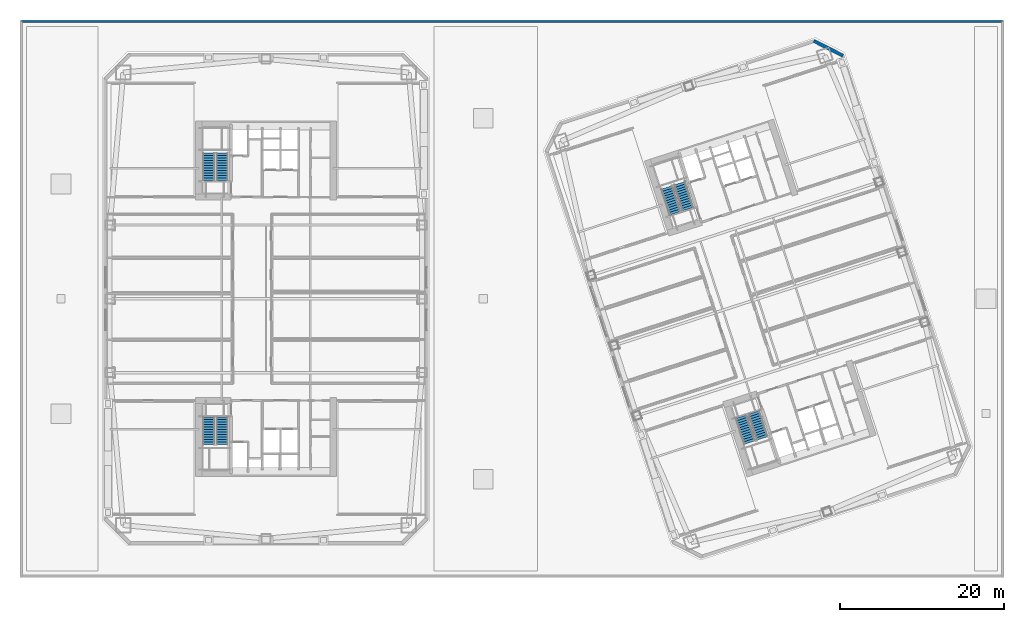
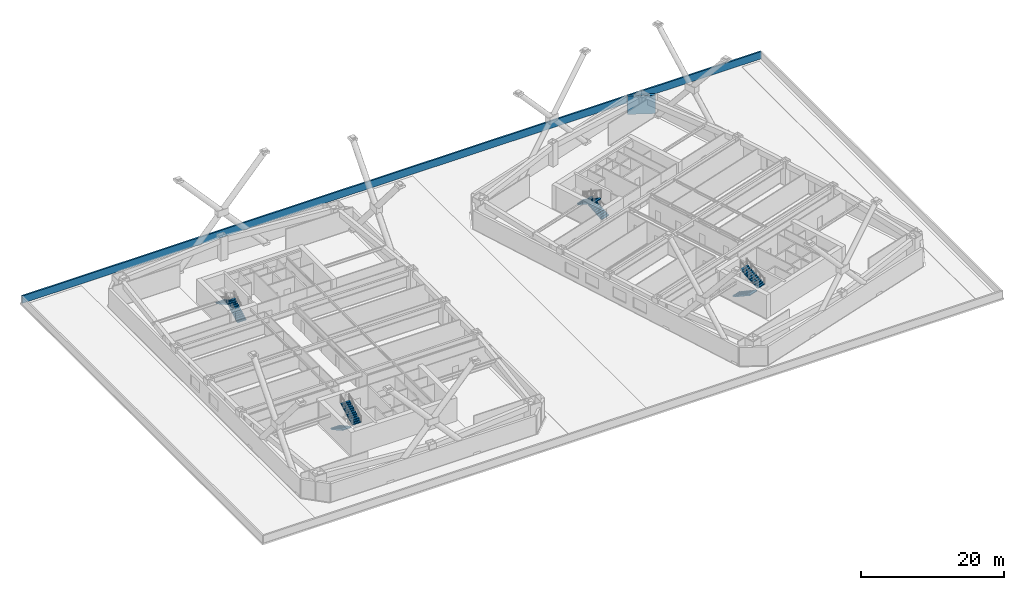
# One storey, part 13 of 20: 8 stair flights, 2 walls, 4 elements without a shape of their own.
"""IFC4 building model written with IfcOpenShell, lengths in metres."""

import ifcopenshell
import ifcopenshell.guid

model = None  # the IFC model being written
_history = None  # IfcOwnerHistory: only IFC2X3 demands one
_inside = {}  # id of a spatial element -> (the spatial element, [elements in it])
_under = {}  # id of a project, library or spatial element -> (it, [spatial elements below it])
_declared = {}  # id of a project -> (the project, [libraries it declares])
_typed = {}  # id of a type object -> (the type object, [elements of that type])
_made_of = {}  # id of a material, layer set ... -> (it, [elements and type objects made of it])


def new_model(schema):
    """Start an empty IFC model of exactly this schema.

    Asked for "IFC4X3", IfcOpenShell would pick the latest addendum, in which some entities
    have other attributes; the version numbers below select the first issue.
    IFC2X3 requires an IfcOwnerHistory on every rooted entity: one is made here for all.
    """
    global model, _history
    if schema == "IFC4X3":
        model = ifcopenshell.file(schema_version=(4, 3, 0, 0))
    else:
        model = ifcopenshell.file(schema=schema)
    _inside.clear()
    _under.clear()
    _declared.clear()
    _typed.clear()
    _made_of.clear()
    _history = None
    if model.schema == "IFC2X3":
        org = make("IfcOrganization", Name="unknown")
        user = make(
            "IfcPersonAndOrganization",
            ThePerson=make("IfcPerson", FamilyName="unknown"),
            TheOrganization=org,
        )
        app = make(
            "IfcApplication",
            ApplicationDeveloper=org,
            Version="unknown",
            ApplicationFullName="unknown",
            ApplicationIdentifier="unknown",
        )
        _history = make(
            "IfcOwnerHistory",
            OwningUser=user,
            OwningApplication=app,
            ChangeAction="ADDED",
            CreationDate=0,
        )
    return model


def make(cls, **values):
    """One entity of the class cls with the attributes given. An attribute that is None is left unset."""
    return model.create_entity(
        cls, **{name: value for name, value in values.items() if value is not None}
    )


def rooted(cls, **values):
    """An entity with a GlobalId (a new one), such as an element, a storey or a relation."""
    return make(cls, GlobalId=ifcopenshell.guid.new(), OwnerHistory=_history, **values)


def si_unit(unit_type, name, prefix=None):
    """IfcSIUnit, for example si_unit("LENGTHUNIT", "METRE", prefix="MILLI")."""
    return make("IfcSIUnit", UnitType=unit_type, Prefix=prefix, Name=name)


def assignment(units):
    """IfcUnitAssignment: the units of a project."""
    return None if units is None else make("IfcUnitAssignment", Units=units)


def point(xyz):
    """IfcCartesianPoint."""
    return None if xyz is None else make("IfcCartesianPoint", Coordinates=xyz)


def direction(xyz):
    """IfcDirection."""
    return None if xyz is None else make("IfcDirection", DirectionRatios=xyz)


def frame(location, z_axis=None, x_axis=None):
    """IfcAxis2Placement3D, a coordinate frame: its origin and axes. An axis left out is left unset."""
    return make(
        "IfcAxis2Placement3D",
        Location=point(location),
        Axis=direction(z_axis),
        RefDirection=direction(x_axis),
    )


def frame_2d(location, x_axis=None):
    """IfcAxis2Placement2D, a coordinate frame in the plane: its origin and x axis."""
    return make(
        "IfcAxis2Placement2D", Location=point(location), RefDirection=direction(x_axis)
    )


def origin():
    """The frame at (0, 0, 0) with its axes left unset."""
    return frame((0.0, 0.0, 0.0))


def place(relative_to, where):
    """IfcLocalPlacement: puts the frame where relative to a parent placement (None: the world)."""
    return make(
        "IfcLocalPlacement", PlacementRelTo=relative_to, RelativePlacement=where
    )


def context(
    kind, dimensions, precision=None, world=None, true_north=None, identifier=None
):
    """IfcGeometricRepresentationContext, for example the 3D "Model" context."""
    return make(
        "IfcGeometricRepresentationContext",
        ContextIdentifier=identifier,
        ContextType=kind,
        CoordinateSpaceDimension=dimensions,
        Precision=precision,
        WorldCoordinateSystem=world,
        TrueNorth=true_north,
    )


def subcontext(parent, identifier, kind, view, scale=None):
    """IfcGeometricRepresentationSubContext, for example "Body" below "Model"."""
    return make(
        "IfcGeometricRepresentationSubContext",
        ContextIdentifier=identifier,
        ContextType=kind,
        ParentContext=parent,
        TargetScale=scale,
        TargetView=view,
    )


def project(units=None, contexts=None):
    """IfcProject with its units and contexts."""
    return rooted(
        "IfcProject",
        Name="project",
        RepresentationContexts=contexts,
        UnitsInContext=assignment(units),
    )


def spatial(cls, under=None, at=None, **own):
    """A site, building, storey or space (cls), placed at a placement, below another one or the project."""
    s = rooted(cls, ObjectPlacement=at, **own)
    if under is not None:
        _under.setdefault(under.id(), (under, []))[1].append(s)
    return s


def polyline(points):
    """IfcPolyline through the points."""
    return make("IfcPolyline", Points=[point(p) for p in points])


def profile(cls, at=None, kind="AREA", **sizes):
    """A parametric profile (cls). Its sizes go by their IFC names, for example OverallWidth=200.0."""
    return make(cls, ProfileType=kind, Position=at, **sizes)


def rectangle(**sizes):
    """IfcRectangleProfileDef."""
    return profile("IfcRectangleProfileDef", **sizes)


def outline(outer, holes=None, kind="AREA"):
    """IfcArbitraryClosedProfileDef: a profile drawn as a closed curve; with holes, ...WithVoids."""
    if holes is None:
        return make("IfcArbitraryClosedProfileDef", ProfileType=kind, OuterCurve=outer)
    return make(
        "IfcArbitraryProfileDefWithVoids",
        ProfileType=kind,
        OuterCurve=outer,
        InnerCurves=holes,
    )


def extrude(swept, where, along, depth):
    """IfcExtrudedAreaSolid: the profile swept, set in the frame where, extruded along a direction by depth."""
    return make(
        "IfcExtrudedAreaSolid",
        SweptArea=swept,
        Position=where,
        ExtrudedDirection=direction(along),
        Depth=depth,
    )


def shape(context_of_items, identifier, shape_type, items):
    """IfcShapeRepresentation: the items that make up one representation, for example the "Body"."""
    return make(
        "IfcShapeRepresentation",
        ContextOfItems=context_of_items,
        RepresentationIdentifier=identifier,
        RepresentationType=shape_type,
        Items=items,
    )


def material(Name=None, Category=None):
    """IfcMaterial."""
    return make("IfcMaterial", Name=Name, Category=Category)


def layer(
    of_material, thickness, ventilated=None, Name=None, Category=None, Priority=None
):
    """IfcMaterialLayer: one layer of a wall or slab, of a material (None: an air gap)."""
    return make(
        "IfcMaterialLayer",
        Material=of_material,
        LayerThickness=thickness,
        IsVentilated=ventilated,
        Name=Name,
        Category=Category,
        Priority=Priority,
    )


def layer_set(layers, Name=None):
    """IfcMaterialLayerSet."""
    return make("IfcMaterialLayerSet", MaterialLayers=layers, LayerSetName=Name)


def made_of(thing, what):
    """Note that an element or type object is made of a material, layer set ...; save() writes the relation."""
    if what is not None:
        _made_of.setdefault(what.id(), (what, []))[1].append(thing)
    return thing


def type_object(cls, material=None, **own):
    """A type object (cls), such as IfcWallType, which elements share."""
    return made_of(rooted(cls, **own), material)


def element(
    cls,
    number,
    at=None,
    inside=None,
    cuts=None,
    type_object=None,
    material=None,
    context=None,
    identifier="Body",
    shape_type=None,
    held_by="IfcProductDefinitionShape",
    body=None,
    shapes=None,
    **own,
):
    """One element of the class cls, such as IfcWall. Its Tag is "e" and its number.

    at: its placement. inside: the storey or other place that contains it. cuts: it is an
    opening in that element (IfcRelVoidsElement). A single representation is given by context,
    identifier, shape_type and body (its items); several are given by shapes. held_by: the class
    of the entity that holds the representations. save() writes the other relations.
    """
    e = rooted(cls, Tag="e%d" % number, ObjectPlacement=at, **own)
    if body is not None:
        shapes = [shape(context, identifier, shape_type, body)]
    if shapes is not None:
        e.Representation = make(held_by, Representations=shapes)
    if inside is not None:
        _inside.setdefault(inside.id(), (inside, []))[1].append(e)
    if cuts is not None:
        rooted(
            "IfcRelVoidsElement", RelatingBuildingElement=cuts, RelatedOpeningElement=e
        )
    if type_object is not None:
        _typed.setdefault(type_object.id(), (type_object, []))[1].append(e)
    return made_of(e, material)


def aggregate(whole, parts):
    """IfcRelAggregates: a whole, such as a stair, and the parts it consists of."""
    return rooted("IfcRelAggregates", RelatingObject=whole, RelatedObjects=parts)


def save(model, path):
    """Write the relations noted so far, then the file.

    IfcRelAggregates (storeys below a building ...), IfcRelContainedInSpatialStructure (elements
    in a storey), IfcRelDefinesByType, IfcRelAssociatesMaterial and IfcRelDeclares: one each for
    every whole, place, type object, material and project.
    """
    for whole, parts in _under.values():
        aggregate(whole, parts)
    for where, things in _inside.values():
        rooted(
            "IfcRelContainedInSpatialStructure",
            RelatedElements=things,
            RelatingStructure=where,
        )
    for kind, things in _typed.values():
        rooted("IfcRelDefinesByType", RelatedObjects=things, RelatingType=kind)
    for what, things in _made_of.values():
        rooted("IfcRelAssociatesMaterial", RelatedObjects=things, RelatingMaterial=what)
    for by, libraries in _declared.values():
        rooted("IfcRelDeclares", RelatingContext=by, RelatedDefinitions=libraries)
    model.write(path)


model = new_model("IFC4")

# Units and contexts
model_context = context("Model", 3, precision=1e-05, world=origin(), true_north=direction((0.0, 1.0)))
body_context = subcontext(model_context, "Body", "Model", "MODEL_VIEW")
ifc_project = project(units=[si_unit("LENGTHUNIT", "METRE"), si_unit("AREAUNIT", "SQUARE_METRE"), si_unit("VOLUMEUNIT", "CUBIC_METRE"), si_unit("PLANEANGLEUNIT", "RADIAN"), si_unit("MASSUNIT", "GRAM", prefix="KILO")], contexts=[model_context])

# Site, building, storey
site_placement = place(None, origin())
site = spatial("IfcSite", under=ifc_project, at=site_placement, CompositionType="ELEMENT")
building_placement = place(site_placement, origin())
building = spatial("IfcBuilding", under=site, at=building_placement, Name="Qiaolan Cultural Towers", CompositionType="ELEMENT")
storey_placement = place(building_placement, frame((0.0, 0.0, 26.0)))
storey = spatial("IfcBuildingStorey", under=building, at=storey_placement, Name="L05", CompositionType="ELEMENT", Elevation=26.0)

# Walls
ifc_material_1 = material(Name="Precast Concrete C50 Honed Stone Pier", Category="masonry")
ifc_layer_1 = layer(ifc_material_1, 0.39990234375)
ifc_layer_set_1 = layer_set([ifc_layer_1], Name="Precast Concrete C50 Honed Stone Pier")
wall_type_1 = type_object("IfcWallType", Name="WL-EXT-PIER-400", PredefinedType="SOLIDWALL", material=ifc_layer_set_1)
wall_1_placement = place(storey_placement, frame((96.81640625, 65.445556640625, 0.0), z_axis=(0.0, 0.0, 1.0), x_axis=(0.890998089617, -0.454007053137, 0.0)))
element("IfcWall", 1, at=wall_1_placement, inside=storey, type_object=wall_type_1, Name="L05 East Tower Precast Pier Facade Wall F4", PredefinedType="SOLIDWALL", context=body_context, shape_type="SweptSolid", body=[
    extrude(rectangle(XDim=3.9599609375, YDim=0.39990234375, at=frame_2d((1.97998046875, 0.0))), origin(), (0.0, 0.0, 1.0), 3.159912109375),
])
ifc_material_2 = material(Name="Precast Concrete C45 Parapet Coping", Category="concrete")
ifc_layer_2 = layer(ifc_material_2, 0.25)
ifc_layer_set_2 = layer_set([ifc_layer_2], Name="Precast Concrete C45 Parapet Coping")
wall_type_2 = type_object("IfcWallType", Name="WL-PARAPET-250", PredefinedType="PARAPET", material=ifc_layer_set_2)
wall_2_placement = place(storey_placement, frame((0.199951171875, 67.800048828125, 0.0), z_axis=(0.0, 0.0, 1.0), x_axis=(1.0, 0.0, 0.0)))
element("IfcWall", 2, at=wall_2_placement, inside=storey, type_object=wall_type_2, Name="Podium Perimeter Precast Parapet PW-POD-N", PredefinedType="PARAPET", context=body_context, shape_type="SweptSolid", body=[
    extrude(rectangle(XDim=119.60009765625, YDim=0.25, at=frame_2d((59.800048828125, 0.0))), origin(), (0.0, 0.0, 1.0), 1.25),
])

# Stair, stair flights
ifc_material_3 = material(Name="Concrete C45", Category="concrete")
stair_type = type_object("IfcStairType", Name="STR-CORE-1500", PredefinedType="HALF_TURN_STAIR", material=ifc_material_3)
stair_1_placement = place(storey_placement, origin())
stair_1 = element("IfcStair", 3, at=stair_1_placement, inside=storey, type_object=stair_type, Name="L05 Smokeproof Exit Stair ST-W1", PredefinedType="HALF_TURN_STAIR")
ifc_material_4 = material(Name="Concrete C45", Category="concrete")
stair_flight_type = type_object("IfcStairFlightType", Name="STR-CORE-1500-FL", PredefinedType="STRAIGHT", material=ifc_material_4)
stair_flight_1_placement = place(storey_placement, frame((23.02001953125, 19.550048828125, 0.0), z_axis=(0.0, 0.0, 1.0), x_axis=(0.0, -1.0, 0.0)))
stair_flight_1 = element("IfcStairFlight", 4, at=stair_flight_1_placement, type_object=stair_flight_type, Name="ST-W1 flight 1", NumberOfRisers=12, NumberOfTreads=11, PredefinedType="STRAIGHT", RiserHeight=0.166666667, TreadLength=0.3, context=body_context, shape_type="SweptSolid", body=[
    extrude(outline(polyline([(0.0, 0.0), (0.0, 0.166748046875), (0.300048828125, 0.166748046875), (0.300048828125, 0.333251953125), (0.60009765625, 0.333251953125), (0.60009765625, 0.5), (0.89990234375, 0.5), (0.89990234375, 0.666748046875), (1.199951171875, 0.666748046875), (1.199951171875, 0.833251953125), (1.5, 0.833251953125), (1.5, 1.0), (1.800048828125, 1.0), (1.800048828125, 1.166748046875), (2.10009765625, 1.166748046875), (2.10009765625, 1.333251953125), (2.39990234375, 1.333251953125), (2.39990234375, 1.5), (2.699951171875, 1.5), (2.699951171875, 1.666748046875), (3.0, 1.666748046875), (3.0, 1.833251953125), (3.300048828125, 1.833251953125), (3.300048828125, 2.0), (3.300048828125, 1.661865234375), (0.30859375, 0.0), (0.0, 0.0)])), frame((0.0, 0.719970703125, 0.0), z_axis=(0.0, -1.0, 0.0), x_axis=(1.0, 0.0, 0.0)), (0.0, 0.0, 1.0), 1.43994140625),
])
stair_flight_2_placement = place(storey_placement, frame((24.659912109375, 16.25, 2.0), z_axis=(0.0, 0.0, 1.0), x_axis=(0.0, 1.0, 0.0)))
stair_flight_2 = element("IfcStairFlight", 5, at=stair_flight_2_placement, type_object=stair_flight_type, Name="ST-W1 flight 2", NumberOfRisers=12, NumberOfTreads=11, PredefinedType="STRAIGHT", RiserHeight=0.166666667, TreadLength=0.3, context=body_context, shape_type="SweptSolid", body=[
    extrude(outline(polyline([(0.0, 0.0), (0.0, 0.166748046875), (0.300048828125, 0.166748046875), (0.300048828125, 0.333251953125), (0.60009765625, 0.333251953125), (0.60009765625, 0.5), (0.89990234375, 0.5), (0.89990234375, 0.666748046875), (1.199951171875, 0.666748046875), (1.199951171875, 0.833251953125), (1.5, 0.833251953125), (1.5, 1.0), (1.800048828125, 1.0), (1.800048828125, 1.166748046875), (2.10009765625, 1.166748046875), (2.10009765625, 1.333251953125), (2.39990234375, 1.333251953125), (2.39990234375, 1.5), (2.699951171875, 1.5), (2.699951171875, 1.666748046875), (3.0, 1.666748046875), (3.0, 1.833251953125), (3.300048828125, 1.833251953125), (3.300048828125, 2.0), (3.300048828125, 1.661865234375), (0.30859375, 0.0), (0.0, 0.0)])), frame((0.0, 0.719970703125, 0.0), z_axis=(0.0, -1.0, 0.0), x_axis=(1.0, 0.0, 0.0)), (0.0, 0.0, 1.0), 1.43994140625),
])
aggregate(stair_1, [stair_flight_1, stair_flight_2])

stair_2_placement = place(storey_placement, origin())
stair_2 = element("IfcStair", 6, at=stair_2_placement, inside=storey, type_object=stair_type, Name="L05 Smokeproof Exit Stair ST-W2", PredefinedType="HALF_TURN_STAIR")
stair_flight_3_placement = place(storey_placement, frame((24.659912109375, 48.449951171875, 0.0), z_axis=(0.0, 0.0, 1.0), x_axis=(0.0, 1.0, 0.0)))
stair_flight_3 = element("IfcStairFlight", 7, at=stair_flight_3_placement, type_object=stair_flight_type, Name="ST-W2 flight 1", NumberOfRisers=12, NumberOfTreads=11, PredefinedType="STRAIGHT", RiserHeight=0.166666667, TreadLength=0.3, context=body_context, shape_type="SweptSolid", body=[
    extrude(outline(polyline([(0.0, 0.0), (0.0, 0.166748046875), (0.300048828125, 0.166748046875), (0.300048828125, 0.333251953125), (0.60009765625, 0.333251953125), (0.60009765625, 0.5), (0.89990234375, 0.5), (0.89990234375, 0.666748046875), (1.199951171875, 0.666748046875), (1.199951171875, 0.833251953125), (1.5, 0.833251953125), (1.5, 1.0), (1.800048828125, 1.0), (1.800048828125, 1.166748046875), (2.10009765625, 1.166748046875), (2.10009765625, 1.333251953125), (2.39990234375, 1.333251953125), (2.39990234375, 1.5), (2.699951171875, 1.5), (2.699951171875, 1.666748046875), (3.0, 1.666748046875), (3.0, 1.833251953125), (3.300048828125, 1.833251953125), (3.300048828125, 2.0), (3.300048828125, 1.661865234375), (0.30859375, 0.0), (0.0, 0.0)])), frame((0.0, 0.719970703125, 0.0), z_axis=(0.0, -1.0, 0.0), x_axis=(1.0, 0.0, 0.0)), (0.0, 0.0, 1.0), 1.43994140625),
])
stair_flight_4_placement = place(storey_placement, frame((23.02001953125, 51.75, 2.0), z_axis=(0.0, 0.0, 1.0), x_axis=(0.0, -1.0, 0.0)))
stair_flight_4 = element("IfcStairFlight", 8, at=stair_flight_4_placement, type_object=stair_flight_type, Name="ST-W2 flight 2", NumberOfRisers=12, NumberOfTreads=11, PredefinedType="STRAIGHT", RiserHeight=0.166666667, TreadLength=0.3, context=body_context, shape_type="SweptSolid", body=[
    extrude(outline(polyline([(0.0, 0.0), (0.0, 0.166748046875), (0.300048828125, 0.166748046875), (0.300048828125, 0.333251953125), (0.60009765625, 0.333251953125), (0.60009765625, 0.5), (0.89990234375, 0.5), (0.89990234375, 0.666748046875), (1.199951171875, 0.666748046875), (1.199951171875, 0.833251953125), (1.5, 0.833251953125), (1.5, 1.0), (1.800048828125, 1.0), (1.800048828125, 1.166748046875), (2.10009765625, 1.166748046875), (2.10009765625, 1.333251953125), (2.39990234375, 1.333251953125), (2.39990234375, 1.5), (2.699951171875, 1.5), (2.699951171875, 1.666748046875), (3.0, 1.666748046875), (3.0, 1.833251953125), (3.300048828125, 1.833251953125), (3.300048828125, 2.0), (3.300048828125, 1.661865234375), (0.30859375, 0.0), (0.0, 0.0)])), frame((0.0, 0.719970703125, 0.0), z_axis=(0.0, -1.0, 0.0), x_axis=(1.0, 0.0, 0.0)), (0.0, 0.0, 1.0), 1.43994140625),
])
aggregate(stair_2, [stair_flight_3, stair_flight_4])

stair_3_placement = place(storey_placement, origin())
stair_3 = element("IfcStair", 9, at=stair_3_placement, inside=storey, type_object=stair_type, Name="L05 Smokeproof Exit Stair ST-E1", PredefinedType="HALF_TURN_STAIR")
stair_flight_5_placement = place(storey_placement, frame((87.96484375, 19.6171875, 0.0), z_axis=(0.0, 0.0, 1.0), x_axis=(0.309016994375, -0.951056516295, 0.0)))
stair_flight_5 = element("IfcStairFlight", 10, at=stair_flight_5_placement, type_object=stair_flight_type, Name="ST-E1 flight 1", NumberOfRisers=12, NumberOfTreads=11, PredefinedType="STRAIGHT", RiserHeight=0.166666667, TreadLength=0.3, context=body_context, shape_type="SweptSolid", body=[
    extrude(outline(polyline([(0.0, 0.0), (0.0, 0.166748046875), (0.300048828125, 0.166748046875), (0.300048828125, 0.333251953125), (0.60009765625, 0.333251953125), (0.60009765625, 0.5), (0.89990234375, 0.5), (0.89990234375, 0.666748046875), (1.199951171875, 0.666748046875), (1.199951171875, 0.833251953125), (1.5, 0.833251953125), (1.5, 1.0), (1.800048828125, 1.0), (1.800048828125, 1.166748046875), (2.10009765625, 1.166748046875), (2.10009765625, 1.333251953125), (2.39990234375, 1.333251953125), (2.39990234375, 1.5), (2.699951171875, 1.5), (2.699951171875, 1.666748046875), (3.0, 1.666748046875), (3.0, 1.833251953125), (3.300048828125, 1.833251953125), (3.300048828125, 2.0), (3.300048828125, 1.661865234375), (0.30859375, 0.0), (0.0, 0.0)])), frame((0.0, 0.719970703125, 0.0), z_axis=(0.0, -1.0, 0.0), x_axis=(1.0, 0.0, 0.0)), (0.0, 0.0, 1.0), 1.43994140625),
])
stair_flight_6_placement = place(storey_placement, frame((90.54443359375, 16.985595703125, 2.0), z_axis=(0.0, 0.0, 1.0), x_axis=(-0.309016994375, 0.951056516295, 0.0)))
stair_flight_6 = element("IfcStairFlight", 11, at=stair_flight_6_placement, type_object=stair_flight_type, Name="ST-E1 flight 2", NumberOfRisers=12, NumberOfTreads=11, PredefinedType="STRAIGHT", RiserHeight=0.166666667, TreadLength=0.3, context=body_context, shape_type="SweptSolid", body=[
    extrude(outline(polyline([(0.0, 0.0), (0.0, 0.166748046875), (0.300048828125, 0.166748046875), (0.300048828125, 0.333251953125), (0.60009765625, 0.333251953125), (0.60009765625, 0.5), (0.89990234375, 0.5), (0.89990234375, 0.666748046875), (1.199951171875, 0.666748046875), (1.199951171875, 0.833251953125), (1.5, 0.833251953125), (1.5, 1.0), (1.800048828125, 1.0), (1.800048828125, 1.166748046875), (2.10009765625, 1.166748046875), (2.10009765625, 1.333251953125), (2.39990234375, 1.333251953125), (2.39990234375, 1.5), (2.699951171875, 1.5), (2.699951171875, 1.666748046875), (3.0, 1.666748046875), (3.0, 1.833251953125), (3.300048828125, 1.833251953125), (3.300048828125, 2.0), (3.300048828125, 1.661865234375), (0.30859375, 0.0), (0.0, 0.0)])), frame((0.0, 0.719970703125, 0.0), z_axis=(0.0, -1.0, 0.0), x_axis=(1.0, 0.0, 0.0)), (0.0, 0.0, 1.0), 1.43994140625),
])
aggregate(stair_3, [stair_flight_5, stair_flight_6])

stair_4_placement = place(storey_placement, origin())
stair_4 = element("IfcStair", 12, at=stair_4_placement, inside=storey, type_object=stair_type, Name="L05 Smokeproof Exit Stair ST-E2", PredefinedType="HALF_TURN_STAIR")
stair_flight_7_placement = place(storey_placement, frame((81.459228515625, 44.946533203125, 0.0), z_axis=(0.0, 0.0, 1.0), x_axis=(-0.309016994375, 0.951056516295, 0.0)))
stair_flight_7 = element("IfcStairFlight", 13, at=stair_flight_7_placement, type_object=stair_flight_type, Name="ST-E2 flight 1", NumberOfRisers=12, NumberOfTreads=11, PredefinedType="STRAIGHT", RiserHeight=0.166666667, TreadLength=0.3, context=body_context, shape_type="SweptSolid", body=[
    extrude(outline(polyline([(0.0, 0.0), (0.0, 0.166748046875), (0.300048828125, 0.166748046875), (0.300048828125, 0.333251953125), (0.60009765625, 0.333251953125), (0.60009765625, 0.5), (0.89990234375, 0.5), (0.89990234375, 0.666748046875), (1.199951171875, 0.666748046875), (1.199951171875, 0.833251953125), (1.5, 0.833251953125), (1.5, 1.0), (1.800048828125, 1.0), (1.800048828125, 1.166748046875), (2.10009765625, 1.166748046875), (2.10009765625, 1.333251953125), (2.39990234375, 1.333251953125), (2.39990234375, 1.5), (2.699951171875, 1.5), (2.699951171875, 1.666748046875), (3.0, 1.666748046875), (3.0, 1.833251953125), (3.300048828125, 1.833251953125), (3.300048828125, 2.0), (3.300048828125, 1.661865234375), (0.30859375, 0.0), (0.0, 0.0)])), frame((0.0, 0.719970703125, 0.0), z_axis=(0.0, -1.0, 0.0), x_axis=(1.0, 0.0, 0.0)), (0.0, 0.0, 1.0), 1.43994140625),
])
stair_flight_8_placement = place(storey_placement, frame((78.8798828125, 47.578125, 2.0), z_axis=(0.0, 0.0, 1.0), x_axis=(0.309016994375, -0.951056516295, 0.0)))
stair_flight_8 = element("IfcStairFlight", 14, at=stair_flight_8_placement, type_object=stair_flight_type, Name="ST-E2 flight 2", NumberOfRisers=12, NumberOfTreads=11, PredefinedType="STRAIGHT", RiserHeight=0.166666667, TreadLength=0.3, context=body_context, shape_type="SweptSolid", body=[
    extrude(outline(polyline([(0.0, 0.0), (0.0, 0.166748046875), (0.300048828125, 0.166748046875), (0.300048828125, 0.333251953125), (0.60009765625, 0.333251953125), (0.60009765625, 0.5), (0.89990234375, 0.5), (0.89990234375, 0.666748046875), (1.199951171875, 0.666748046875), (1.199951171875, 0.833251953125), (1.5, 0.833251953125), (1.5, 1.0), (1.800048828125, 1.0), (1.800048828125, 1.166748046875), (2.10009765625, 1.166748046875), (2.10009765625, 1.333251953125), (2.39990234375, 1.333251953125), (2.39990234375, 1.5), (2.699951171875, 1.5), (2.699951171875, 1.666748046875), (3.0, 1.666748046875), (3.0, 1.833251953125), (3.300048828125, 1.833251953125), (3.300048828125, 2.0), (3.300048828125, 1.661865234375), (0.30859375, 0.0), (0.0, 0.0)])), frame((0.0, 0.719970703125, 0.0), z_axis=(0.0, -1.0, 0.0), x_axis=(1.0, 0.0, 0.0)), (0.0, 0.0, 1.0), 1.43994140625),
])
aggregate(stair_4, [stair_flight_7, stair_flight_8])

save(model, "model.ifc")
